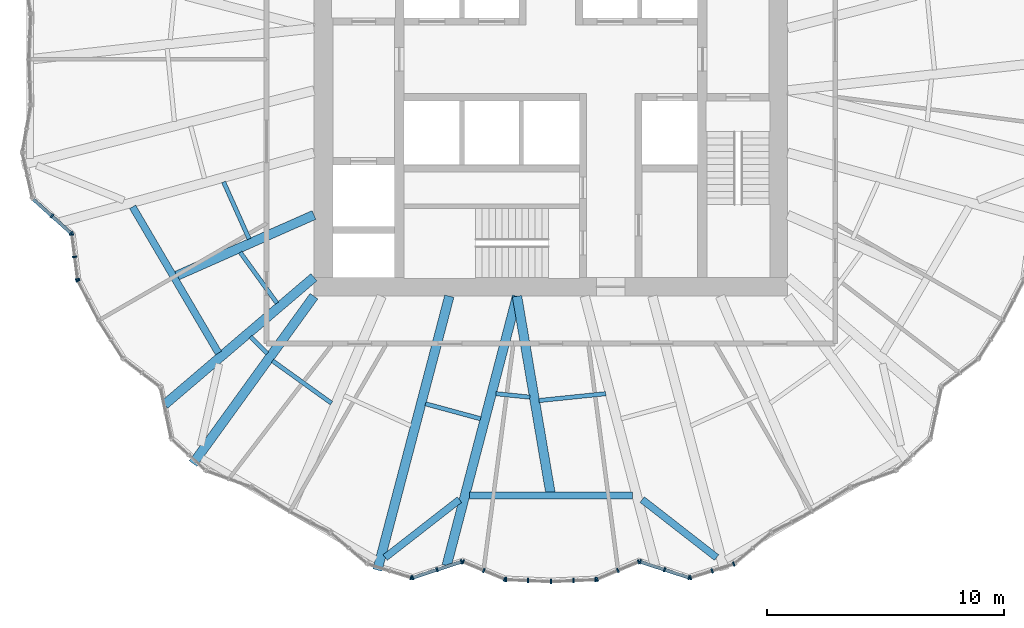
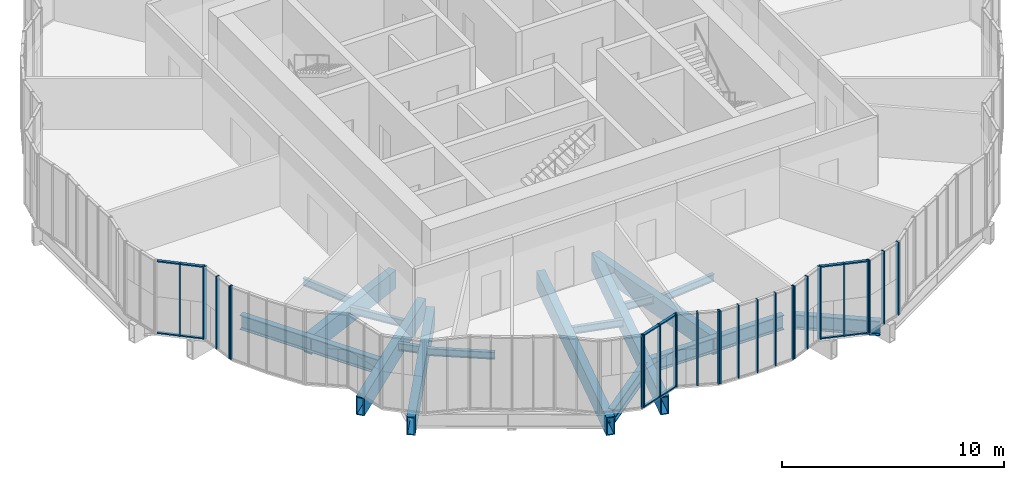
# One storey, part 2 of 23: 39 members, 17 beams, 11 elements without a shape of their own.
"""IFC4 building model written with IfcOpenShell, lengths in metres."""

from ifc_helpers import new_model, si_unit, direction, frame, origin, origin_2d, place, context, subcontext, project, spatial, rectangle, hollow_rectangle, i_section, extrude, material, material_profile, profile_set, type_object, element, aggregate, save


model = new_model("IFC4")

# Units and contexts
model_context = context("Model", 3, precision=1e-05, world=origin(), true_north=direction((0.0, 1.0)))
body_context = subcontext(model_context, "Body", "Model", "MODEL_VIEW")
ifc_project = project(units=[si_unit("LENGTHUNIT", "METRE"), si_unit("AREAUNIT", "SQUARE_METRE"), si_unit("VOLUMEUNIT", "CUBIC_METRE"), si_unit("PLANEANGLEUNIT", "RADIAN"), si_unit("MASSUNIT", "GRAM", prefix="KILO")], contexts=[model_context])

# Site, building, storey
site_placement = place(None, origin())
site = spatial("IfcSite", under=ifc_project, at=site_placement, CompositionType="ELEMENT")
building_placement = place(site_placement, origin())
building = spatial("IfcBuilding", under=site, at=building_placement, Name="Golbaran Civic Tower", CompositionType="ELEMENT")
storey_placement = place(building_placement, frame((0.0, 0.0, 33.0)))
storey = spatial("IfcBuildingStorey", under=building, at=storey_placement, Name="L07", CompositionType="ELEMENT", Elevation=33.0)

# Beams
ifc_material_1 = material(Name="Steel S355", Category="steel")
ifc_material_profile_1 = material_profile(ifc_material_1, i_section(OverallWidth=0.300048828125, OverallDepth=0.800048828125, WebThickness=0.017578125, FlangeThickness=0.032958984375, FilletRadius=0.030029296875, at=origin_2d()), Name="HEB 800")
ifc_profile_set_1 = profile_set([ifc_material_profile_1], Name="Steel S355")
beam_type_1 = type_object("IfcBeamType", Name="EDGE BEAM HEB 800", PredefinedType="BEAM", material=ifc_profile_set_1)
beam_1_placement = place(storey_placement, frame((-17.65576171875, -6.22802734375, -0.60009765625), z_axis=(0.506678694853, -0.862134966338, 0.0), x_axis=(0.862134966338, 0.506678694853, 0.0)))
element("IfcBeam", 1, at=beam_1_placement, inside=storey, type_object=beam_type_1, Name="Edge beam 198.26 L07", PredefinedType="BEAM", context=body_context, shape_type="SweptSolid", body=[
    extrude(i_section(OverallWidth=0.300048828125, OverallDepth=0.800048828125, WebThickness=0.017578125, FlangeThickness=0.032958984375, FilletRadius=0.030029296875, at=origin_2d()), origin(), (0.0, 0.0, 1.0), 7.15673828125),
])
beam_2_placement = place(storey_placement, frame((-6.996337890625, -21.03173828125, -0.60009765625), z_axis=(0.789008486352, 0.6143822983, 0.0), x_axis=(-0.6143822983, 0.789008486352, 0.0)))
element("IfcBeam", 2, at=beam_2_placement, inside=storey, type_object=beam_type_1, Name="Edge beam 251.36 L07", PredefinedType="BEAM", context=body_context, shape_type="SweptSolid", body=[
    extrude(i_section(OverallWidth=0.300048828125, OverallDepth=0.800048828125, WebThickness=0.017578125, FlangeThickness=0.032958984375, FilletRadius=0.030029296875, at=origin_2d()), origin(), (0.0, 0.0, 1.0), 3.97900390625),
])
beam_3_placement = place(storey_placement, frame((-3.437255859375, -18.4052734375, -0.60009765625), z_axis=(1.0, 0.0, 0.0), x_axis=(0.0, 1.0, 0.0)))
element("IfcBeam", 3, at=beam_3_placement, inside=storey, type_object=beam_type_1, Name="Edge beam 258.26 L07", PredefinedType="BEAM", context=body_context, shape_type="SweptSolid", body=[
    extrude(i_section(OverallWidth=0.300048828125, OverallDepth=0.800048828125, WebThickness=0.017578125, FlangeThickness=0.032958984375, FilletRadius=0.030029296875, at=origin_2d()), origin(), (0.0, 0.0, 1.0), 6.87451171875),
])
beam_4_placement = place(storey_placement, frame((3.85693359375, -18.587158203125, -0.60009765625), z_axis=(0.789008486352, -0.6143822983, 0.0), x_axis=(0.6143822983, 0.789008486352, 0.0)))
element("IfcBeam", 4, at=beam_4_placement, inside=storey, type_object=beam_type_1, Name="Edge beam 281.74 L07", PredefinedType="BEAM", context=body_context, shape_type="SweptSolid", body=[
    extrude(i_section(OverallWidth=0.300048828125, OverallDepth=0.800048828125, WebThickness=0.017578125, FlangeThickness=0.032958984375, FilletRadius=0.030029296875, at=origin_2d()), origin(), (0.0, 0.0, 1.0), 3.97900390625),
])
ifc_material_profile_2 = material_profile(ifc_material_1, i_section(OverallWidth=0.179931640625, OverallDepth=0.39990234375, WebThickness=0.008544921875, FlangeThickness=0.013427734375, FilletRadius=0.02099609375, at=origin_2d()), Name="IPE 400")
ifc_profile_set_2 = profile_set([ifc_material_profile_2], Name="Steel S355")
beam_type_2 = type_object("IfcBeamType", Name="FLOOR INFILL BEAM IPE 400", PredefinedType="BEAM", material=ifc_profile_set_2)
beam_5_placement = place(storey_placement, frame((-13.81494140625, -5.175048828125, -0.39990234375), z_axis=(0.408830249642, -0.912610446454, 0.0), x_axis=(0.912610446454, 0.408830249642, 0.0)))
element("IfcBeam", 5, at=beam_5_placement, inside=storey, type_object=beam_type_2, Name="Infill beam 204.13 L07", PredefinedType="BEAM", context=body_context, shape_type="SweptSolid", body=[
    extrude(i_section(OverallWidth=0.179931640625, OverallDepth=0.39990234375, WebThickness=0.008544921875, FlangeThickness=0.013427734375, FilletRadius=0.02099609375, at=origin_2d()), origin(), (0.0, 0.0, 1.0), 2.640625),
])
beam_6_placement = place(storey_placement, frame((-13.1142578125, -8.146240234375, -0.39990234375), z_axis=(0.585967975109, -0.810334210155, 0.0), x_axis=(0.810334210155, 0.585967975109, 0.0)))
element("IfcBeam", 6, at=beam_6_placement, inside=storey, type_object=beam_type_2, Name="Infill beam 215.87 L07", PredefinedType="BEAM", context=body_context, shape_type="SweptSolid", body=[
    extrude(i_section(OverallWidth=0.179931640625, OverallDepth=0.39990234375, WebThickness=0.008544921875, FlangeThickness=0.013427734375, FilletRadius=0.02099609375, at=origin_2d()), origin(), (0.0, 0.0, 1.0), 2.650634765625),
])
beam_7_placement = place(storey_placement, frame((-12.671630859375, -11.713623046875, -0.39990234375), z_axis=(0.70943741161, -0.704768443539, 0.0), x_axis=(0.704768443539, 0.70943741161, 0.0)))
element("IfcBeam", 7, at=beam_7_placement, inside=storey, type_object=beam_type_2, Name="Infill beam 225.19 L07", PredefinedType="BEAM", context=body_context, shape_type="SweptSolid", body=[
    extrude(i_section(OverallWidth=0.179931640625, OverallDepth=0.39990234375, WebThickness=0.008544921875, FlangeThickness=0.013427734375, FilletRadius=0.02099609375, at=origin_2d()), origin(), (0.0, 0.0, 1.0), 0.993408203125),
])
beam_8_placement = place(storey_placement, frame((-11.7490234375, -12.72705078125, -0.39990234375), z_axis=(0.812266627807, -0.583286315073, 0.0), x_axis=(0.583286315073, 0.812266627807, 0.0)))
element("IfcBeam", 8, at=beam_8_placement, inside=storey, type_object=beam_type_2, Name="Infill beam 234.32 L07", PredefinedType="BEAM", context=body_context, shape_type="SweptSolid", body=[
    extrude(i_section(OverallWidth=0.179931640625, OverallDepth=0.39990234375, WebThickness=0.008544921875, FlangeThickness=0.013427734375, FilletRadius=0.02099609375, at=origin_2d()), origin(), (0.0, 0.0, 1.0), 3.064208984375),
])
beam_9_placement = place(storey_placement, frame((-5.292236328125, -14.54150390625, -0.39990234375), z_axis=(0.965080908902, -0.261951978945, 0.0), x_axis=(0.261951978945, 0.965080908902, 0.0)))
element("IfcBeam", 9, at=beam_9_placement, inside=storey, type_object=beam_type_2, Name="Infill beam 254.81 L07", PredefinedType="BEAM", context=body_context, shape_type="SweptSolid", body=[
    extrude(i_section(OverallWidth=0.179931640625, OverallDepth=0.39990234375, WebThickness=0.008544921875, FlangeThickness=0.013427734375, FilletRadius=0.02099609375, at=origin_2d()), origin(), (0.0, 0.0, 1.0), 2.4111328125),
])
beam_10_placement = place(storey_placement, frame((-2.31689453125, -14.114501953125, -0.39990234375), z_axis=(0.994743807616, -0.102395103447, 0.0), x_axis=(0.102395103447, 0.994743807616, 0.0)))
element("IfcBeam", 10, at=beam_10_placement, inside=storey, type_object=beam_type_2, Name="Infill beam 264.13 L07", PredefinedType="BEAM", context=body_context, shape_type="SweptSolid", body=[
    extrude(i_section(OverallWidth=0.179931640625, OverallDepth=0.39990234375, WebThickness=0.008544921875, FlangeThickness=0.013427734375, FilletRadius=0.02099609375, at=origin_2d()), origin(), (0.0, 0.0, 1.0), 1.437744140625),
])
beam_11_placement = place(storey_placement, frame((-0.49755859375, -14.404052734375, -0.39990234375), z_axis=(0.994749501514, 0.10233977349, 0.0), x_axis=(-0.10233977349, 0.994749501514, 0.0)))
element("IfcBeam", 11, at=beam_11_placement, inside=storey, type_object=beam_type_2, Name="Infill beam 275.87 L07", PredefinedType="BEAM", context=body_context, shape_type="SweptSolid", body=[
    extrude(i_section(OverallWidth=0.179931640625, OverallDepth=0.39990234375, WebThickness=0.008544921875, FlangeThickness=0.013427734375, FilletRadius=0.02099609375, at=origin_2d()), origin(), (0.0, 0.0, 1.0), 2.829345703125),
])

# Curtain wall, members
ifc_material_2 = material(Name="Aluminium and glass", Category="aluminium")
curtain_wall_type = type_object("IfcCurtainWallType", Name="INNER SKIN CURTAIN WALL", PredefinedType="NOTDEFINED", material=ifc_material_2)
curtain_wall_1_placement = place(storey_placement, origin())
curtain_wall_1 = element("IfcCurtainWall", 12, at=curtain_wall_1_placement, inside=storey, type_object=curtain_wall_type, Name="Inner skin L07 facet 40 CW1", ObjectType="INNER SKIN", PredefinedType="USERDEFINED")
ifc_material_3 = material(Name="Aluminium", Category="aluminium")
ifc_material_profile_3 = material_profile(ifc_material_3, rectangle(XDim=0.179931640625, YDim=0.06494140625, at=origin_2d()), Name="INNER SKIN CURTAIN WALL MULLION")
ifc_profile_set_3 = profile_set([ifc_material_profile_3], Name="Aluminium")
member_type_1 = type_object("IfcMemberType", Name="INNER SKIN CURTAIN WALL MULLION", PredefinedType="MULLION", material=ifc_profile_set_3)
member_1_placement = place(storey_placement, frame((-21.060302734375, -6.6142578125, 0.0), z_axis=(0.0, 0.0, 1.0), x_axis=(0.668420309882, 0.743783765174, 0.0)))
member_1 = element("IfcMember", 13, at=member_1_placement, type_object=member_type_1, Name="CW1 mullion 2", PredefinedType="MULLION", context=body_context, shape_type="SweptSolid", body=[
    extrude(rectangle(XDim=0.179931640625, YDim=0.06494140625, at=origin_2d()), origin(), (0.0, 0.0, 1.0), 4.0),
])
member_2_placement = place(storey_placement, frame((-20.251953125, -7.340576171875, 0.0), z_axis=(0.0, 0.0, 1.0), x_axis=(0.668420309882, 0.743783765174, 0.0)))
member_2 = element("IfcMember", 14, at=member_2_placement, type_object=member_type_1, Name="CW1 mullion 3", PredefinedType="MULLION", context=body_context, shape_type="SweptSolid", body=[
    extrude(rectangle(XDim=0.179931640625, YDim=0.06494140625, at=origin_2d()), origin(), (0.0, 0.0, 1.0), 4.0),
])

curtain_wall_2_placement = place(storey_placement, origin())
curtain_wall_2 = element("IfcCurtainWall", 15, at=curtain_wall_2_placement, inside=storey, type_object=curtain_wall_type, Name="Inner skin L07 facet 41 CW1", ObjectType="INNER SKIN", PredefinedType="USERDEFINED")
member_3_placement = place(storey_placement, frame((-20.2236328125, -7.39453125, 0.0), z_axis=(0.0, 0.0, 1.0), x_axis=(0.992027138401, 0.126024428889, 0.0)))
member_3 = element("IfcMember", 16, at=member_3_placement, type_object=member_type_1, Name="CW1 mullion 1", PredefinedType="MULLION", context=body_context, shape_type="SweptSolid", body=[
    extrude(rectangle(XDim=0.179931640625, YDim=0.06494140625, at=origin_2d()), origin(), (0.0, 0.0, 1.0), 4.0),
])
member_4_placement = place(storey_placement, frame((-20.103759765625, -8.33935546875, 0.0), z_axis=(0.0, 0.0, 1.0), x_axis=(0.992027138401, 0.126024428889, 0.0)))
member_4 = element("IfcMember", 17, at=member_4_placement, type_object=member_type_1, Name="CW1 mullion 2", PredefinedType="MULLION", context=body_context, shape_type="SweptSolid", body=[
    extrude(rectangle(XDim=0.179931640625, YDim=0.06494140625, at=origin_2d()), origin(), (0.0, 0.0, 1.0), 4.0),
])
member_5_placement = place(storey_placement, frame((-19.983642578125, -9.284423828125, 0.0), z_axis=(0.0, 0.0, 1.0), x_axis=(0.992027138401, 0.126024428889, 0.0)))
member_5 = element("IfcMember", 18, at=member_5_placement, type_object=member_type_1, Name="CW1 mullion 3", PredefinedType="MULLION", context=body_context, shape_type="SweptSolid", body=[
    extrude(rectangle(XDim=0.179931640625, YDim=0.06494140625, at=origin_2d()), origin(), (0.0, 0.0, 1.0), 4.0),
])
aggregate(curtain_wall_2, [member_3, member_4, member_5])

# Curtain wall, member
curtain_wall_3_placement = place(storey_placement, origin())
curtain_wall_3 = element("IfcCurtainWall", 19, at=curtain_wall_3_placement, inside=storey, type_object=curtain_wall_type, Name="Inner skin L07 facet 42 CW1", ObjectType="INNER SKIN", PredefinedType="USERDEFINED")
member_6_placement = place(storey_placement, frame((-19.964599609375, -9.345458984375, 0.0), z_axis=(0.0, 0.0, 1.0), x_axis=(0.887010833146, 0.461748613297, 0.0)))
member_6 = element("IfcMember", 20, at=member_6_placement, type_object=member_type_1, Name="CW1 mullion 1", PredefinedType="MULLION", context=body_context, shape_type="SweptSolid", body=[
    extrude(rectangle(XDim=0.179931640625, YDim=0.06494140625, at=origin_2d()), origin(), (0.0, 0.0, 1.0), 4.0),
])
aggregate(curtain_wall_3, [member_6])

curtain_wall_4_placement = place(storey_placement, origin())
curtain_wall_4 = element("IfcCurtainWall", 21, at=curtain_wall_4_placement, inside=storey, type_object=curtain_wall_type, Name="Inner skin L07 facet 51 CW1", ObjectType="INNER SKIN", PredefinedType="USERDEFINED")
member_7_placement = place(storey_placement, frame((-5.897216796875, -21.883056640625, 0.0), z_axis=(0.0, 0.0, 1.0), x_axis=(0.300705799654, 0.953716950701, 0.0)))
member_7 = element("IfcMember", 22, at=member_7_placement, type_object=member_type_1, Name="CW1 mullion 3", PredefinedType="MULLION", context=body_context, shape_type="SweptSolid", body=[
    extrude(rectangle(XDim=0.179931640625, YDim=0.06494140625, at=origin_2d()), origin(), (0.0, 0.0, 1.0), 4.0),
])
aggregate(curtain_wall_4, [member_7])

# Curtain wall, members
curtain_wall_5_placement = place(storey_placement, origin())
curtain_wall_5 = element("IfcCurtainWall", 23, at=curtain_wall_5_placement, inside=storey, type_object=curtain_wall_type, Name="Inner skin L07 facet 52 CW1", ObjectType="INNER SKIN", PredefinedType="USERDEFINED")
member_8_placement = place(storey_placement, frame((-5.835205078125, -21.882568359375, 0.0), z_axis=(0.0, 0.0, 1.0), x_axis=(-0.309925480738, 0.950760851313, 0.0)))
member_8 = element("IfcMember", 24, at=member_8_placement, type_object=member_type_1, Name="CW1 mullion 1", PredefinedType="MULLION", context=body_context, shape_type="SweptSolid", body=[
    extrude(rectangle(XDim=0.179931640625, YDim=0.06494140625, at=origin_2d()), origin(), (0.0, 0.0, 1.0), 4.0),
])
member_9_placement = place(storey_placement, frame((-4.802001953125, -21.5458984375, 0.0), z_axis=(0.0, 0.0, 1.0), x_axis=(-0.309925480738, 0.950760851313, 0.0)))
member_9 = element("IfcMember", 25, at=member_9_placement, type_object=member_type_1, Name="CW1 mullion 2", PredefinedType="MULLION", context=body_context, shape_type="SweptSolid", body=[
    extrude(rectangle(XDim=0.179931640625, YDim=0.06494140625, at=origin_2d()), origin(), (0.0, 0.0, 1.0), 4.0),
])
member_10_placement = place(storey_placement, frame((-3.768798828125, -21.208984375, 0.0), z_axis=(0.0, 0.0, 1.0), x_axis=(-0.309925480738, 0.950760851313, 0.0)))
member_10 = element("IfcMember", 26, at=member_10_placement, type_object=member_type_1, Name="CW1 mullion 3", PredefinedType="MULLION", context=body_context, shape_type="SweptSolid", body=[
    extrude(rectangle(XDim=0.179931640625, YDim=0.06494140625, at=origin_2d()), origin(), (0.0, 0.0, 1.0), 4.0),
])

curtain_wall_6_placement = place(storey_placement, origin())
curtain_wall_6 = element("IfcCurtainWall", 27, at=curtain_wall_6_placement, inside=storey, type_object=curtain_wall_type, Name="Inner skin L07 facet 53 CW1", ObjectType="INNER SKIN", PredefinedType="USERDEFINED")
member_11_placement = place(storey_placement, frame((-3.7080078125, -21.21142578125, 0.0), z_axis=(0.0, 0.0, 1.0), x_axis=(0.38687321243, 0.922132917482, 0.0)))
member_11 = element("IfcMember", 28, at=member_11_placement, type_object=member_type_1, Name="CW1 mullion 1", PredefinedType="MULLION", context=body_context, shape_type="SweptSolid", body=[
    extrude(rectangle(XDim=0.179931640625, YDim=0.06494140625, at=origin_2d()), origin(), (0.0, 0.0, 1.0), 4.0),
])
member_12_placement = place(storey_placement, frame((-2.82958984375, -21.580078125, 0.0), z_axis=(0.0, 0.0, 1.0), x_axis=(0.38687321243, 0.922132917482, 0.0)))
member_12 = element("IfcMember", 29, at=member_12_placement, type_object=member_type_1, Name="CW1 mullion 2", PredefinedType="MULLION", context=body_context, shape_type="SweptSolid", body=[
    extrude(rectangle(XDim=0.179931640625, YDim=0.06494140625, at=origin_2d()), origin(), (0.0, 0.0, 1.0), 4.0),
])
member_13_placement = place(storey_placement, frame((-1.951416015625, -21.948486328125, 0.0), z_axis=(0.0, 0.0, 1.0), x_axis=(0.38687321243, 0.922132917482, 0.0)))
member_13 = element("IfcMember", 30, at=member_13_placement, type_object=member_type_1, Name="CW1 mullion 3", PredefinedType="MULLION", context=body_context, shape_type="SweptSolid", body=[
    extrude(rectangle(XDim=0.179931640625, YDim=0.06494140625, at=origin_2d()), origin(), (0.0, 0.0, 1.0), 4.0),
])
aggregate(curtain_wall_6, [member_11, member_12, member_13])

curtain_wall_7_placement = place(storey_placement, origin())
curtain_wall_7 = element("IfcCurtainWall", 31, at=curtain_wall_7_placement, inside=storey, type_object=curtain_wall_type, Name="Inner skin L07 facet 54 CW1", ObjectType="INNER SKIN", PredefinedType="USERDEFINED")
member_14_placement = place(storey_placement, frame((-1.888916015625, -21.962646484375, 0.0), z_axis=(0.0, 0.0, 1.0), x_axis=(0.043619387592, 0.999048221572, 0.0)))
member_14 = element("IfcMember", 32, at=member_14_placement, type_object=member_type_1, Name="CW1 mullion 1", PredefinedType="MULLION", context=body_context, shape_type="SweptSolid", body=[
    extrude(rectangle(XDim=0.179931640625, YDim=0.06494140625, at=origin_2d()), origin(), (0.0, 0.0, 1.0), 4.0),
])
member_15_placement = place(storey_placement, frame((-0.960693359375, -22.003173828125, 0.0), z_axis=(0.0, 0.0, 1.0), x_axis=(0.043619387592, 0.999048221572, 0.0)))
member_15 = element("IfcMember", 33, at=member_15_placement, type_object=member_type_1, Name="CW1 mullion 2", PredefinedType="MULLION", context=body_context, shape_type="SweptSolid", body=[
    extrude(rectangle(XDim=0.179931640625, YDim=0.06494140625, at=origin_2d()), origin(), (0.0, 0.0, 1.0), 4.0),
])
member_16_placement = place(storey_placement, frame((0.0, -22.044921875, 0.0), z_axis=(0.0, 0.0, 1.0), x_axis=(1.05e-10, 1.0, 0.0)))
member_16 = element("IfcMember", 34, at=member_16_placement, type_object=member_type_1, Name="CW1 mullion 3", PredefinedType="MULLION", context=body_context, shape_type="SweptSolid", body=[
    extrude(rectangle(XDim=0.179931640625, YDim=0.06494140625, at=origin_2d()), origin(), (0.0, 0.0, 1.0), 4.0),
])
aggregate(curtain_wall_7, [member_14, member_15, member_16])

curtain_wall_8_placement = place(storey_placement, origin())
curtain_wall_8 = element("IfcCurtainWall", 35, at=curtain_wall_8_placement, inside=storey, type_object=curtain_wall_type, Name="Inner skin L07 facet 55 CW1", ObjectType="INNER SKIN", PredefinedType="USERDEFINED")
member_17_placement = place(storey_placement, frame((0.960693359375, -22.003173828125, 0.0), z_axis=(0.0, 0.0, 1.0), x_axis=(-0.043619387592, 0.999048221572, 0.0)))
member_17 = element("IfcMember", 36, at=member_17_placement, type_object=member_type_1, Name="CW1 mullion 2", PredefinedType="MULLION", context=body_context, shape_type="SweptSolid", body=[
    extrude(rectangle(XDim=0.179931640625, YDim=0.06494140625, at=origin_2d()), origin(), (0.0, 0.0, 1.0), 4.0),
])
member_18_placement = place(storey_placement, frame((1.888916015625, -21.962646484375, 0.0), z_axis=(0.0, 0.0, 1.0), x_axis=(-0.043619387592, 0.999048221572, 0.0)))
member_18 = element("IfcMember", 37, at=member_18_placement, type_object=member_type_1, Name="CW1 mullion 3", PredefinedType="MULLION", context=body_context, shape_type="SweptSolid", body=[
    extrude(rectangle(XDim=0.179931640625, YDim=0.06494140625, at=origin_2d()), origin(), (0.0, 0.0, 1.0), 4.0),
])
aggregate(curtain_wall_8, [member_17, member_18])

curtain_wall_9_placement = place(storey_placement, origin())
curtain_wall_9 = element("IfcCurtainWall", 38, at=curtain_wall_9_placement, inside=storey, type_object=curtain_wall_type, Name="Inner skin L07 facet 56 CW1", ObjectType="INNER SKIN", PredefinedType="USERDEFINED")
member_19_placement = place(storey_placement, frame((1.951416015625, -21.948486328125, 0.0), z_axis=(0.0, 0.0, 1.0), x_axis=(-0.38687321243, 0.922132917482, 0.0)))
member_19 = element("IfcMember", 39, at=member_19_placement, type_object=member_type_1, Name="CW1 mullion 1", PredefinedType="MULLION", context=body_context, shape_type="SweptSolid", body=[
    extrude(rectangle(XDim=0.179931640625, YDim=0.06494140625, at=origin_2d()), origin(), (0.0, 0.0, 1.0), 4.0),
])
member_20_placement = place(storey_placement, frame((2.82958984375, -21.580078125, 0.0), z_axis=(0.0, 0.0, 1.0), x_axis=(-0.38687321243, 0.922132917482, 0.0)))
member_20 = element("IfcMember", 40, at=member_20_placement, type_object=member_type_1, Name="CW1 mullion 2", PredefinedType="MULLION", context=body_context, shape_type="SweptSolid", body=[
    extrude(rectangle(XDim=0.179931640625, YDim=0.06494140625, at=origin_2d()), origin(), (0.0, 0.0, 1.0), 4.0),
])
member_21_placement = place(storey_placement, frame((3.7080078125, -21.21142578125, 0.0), z_axis=(0.0, 0.0, 1.0), x_axis=(-0.38687321243, 0.922132917482, 0.0)))
member_21 = element("IfcMember", 41, at=member_21_placement, type_object=member_type_1, Name="CW1 mullion 3", PredefinedType="MULLION", context=body_context, shape_type="SweptSolid", body=[
    extrude(rectangle(XDim=0.179931640625, YDim=0.06494140625, at=origin_2d()), origin(), (0.0, 0.0, 1.0), 4.0),
])
aggregate(curtain_wall_9, [member_19, member_20, member_21])

curtain_wall_10_placement = place(storey_placement, origin())
curtain_wall_10 = element("IfcCurtainWall", 42, at=curtain_wall_10_placement, inside=storey, type_object=curtain_wall_type, Name="Inner skin L07 facet 57 CW1", ObjectType="INNER SKIN", PredefinedType="USERDEFINED")
member_22_placement = place(storey_placement, frame((3.768798828125, -21.208984375, 0.0), z_axis=(0.0, 0.0, 1.0), x_axis=(0.309925480738, 0.950760851313, 0.0)))
member_22 = element("IfcMember", 43, at=member_22_placement, type_object=member_type_1, Name="CW1 mullion 1", PredefinedType="MULLION", context=body_context, shape_type="SweptSolid", body=[
    extrude(rectangle(XDim=0.179931640625, YDim=0.06494140625, at=origin_2d()), origin(), (0.0, 0.0, 1.0), 4.0),
])
member_23_placement = place(storey_placement, frame((4.802001953125, -21.5458984375, 0.0), z_axis=(0.0, 0.0, 1.0), x_axis=(0.309925480738, 0.950760851313, 0.0)))
member_23 = element("IfcMember", 44, at=member_23_placement, type_object=member_type_1, Name="CW1 mullion 2", PredefinedType="MULLION", context=body_context, shape_type="SweptSolid", body=[
    extrude(rectangle(XDim=0.179931640625, YDim=0.06494140625, at=origin_2d()), origin(), (0.0, 0.0, 1.0), 4.0),
])
member_24_placement = place(storey_placement, frame((5.835205078125, -21.882568359375, 0.0), z_axis=(0.0, 0.0, 1.0), x_axis=(0.309925480738, 0.950760851313, 0.0)))
member_24 = element("IfcMember", 45, at=member_24_placement, type_object=member_type_1, Name="CW1 mullion 3", PredefinedType="MULLION", context=body_context, shape_type="SweptSolid", body=[
    extrude(rectangle(XDim=0.179931640625, YDim=0.06494140625, at=origin_2d()), origin(), (0.0, 0.0, 1.0), 4.0),
])

curtain_wall_11_placement = place(storey_placement, origin())
curtain_wall_11 = element("IfcCurtainWall", 46, at=curtain_wall_11_placement, inside=storey, type_object=curtain_wall_type, Name="Inner skin L07 facet 58 CW1", ObjectType="INNER SKIN", PredefinedType="USERDEFINED")
member_25_placement = place(storey_placement, frame((5.897216796875, -21.883056640625, 0.0), z_axis=(0.0, 0.0, 1.0), x_axis=(-0.300705799654, 0.953716950701, 0.0)))
member_25 = element("IfcMember", 47, at=member_25_placement, type_object=member_type_1, Name="CW1 mullion 1", PredefinedType="MULLION", context=body_context, shape_type="SweptSolid", body=[
    extrude(rectangle(XDim=0.179931640625, YDim=0.06494140625, at=origin_2d()), origin(), (0.0, 0.0, 1.0), 4.0),
])
member_26_placement = place(storey_placement, frame((6.80908203125, -21.595458984375, 0.0), z_axis=(0.0, 0.0, 1.0), x_axis=(-0.300705799654, 0.953716950701, 0.0)))
member_26 = element("IfcMember", 48, at=member_26_placement, type_object=member_type_1, Name="CW1 mullion 2", PredefinedType="MULLION", context=body_context, shape_type="SweptSolid", body=[
    extrude(rectangle(XDim=0.179931640625, YDim=0.06494140625, at=origin_2d()), origin(), (0.0, 0.0, 1.0), 4.0),
])
member_27_placement = place(storey_placement, frame((7.720947265625, -21.307861328125, 0.0), z_axis=(0.0, 0.0, 1.0), x_axis=(-0.300705799654, 0.953716950701, 0.0)))
member_27 = element("IfcMember", 49, at=member_27_placement, type_object=member_type_1, Name="CW1 mullion 3", PredefinedType="MULLION", context=body_context, shape_type="SweptSolid", body=[
    extrude(rectangle(XDim=0.179931640625, YDim=0.06494140625, at=origin_2d()), origin(), (0.0, 0.0, 1.0), 4.0),
])
aggregate(curtain_wall_11, [member_25, member_26, member_27])

# Member
ifc_material_profile_4 = material_profile(ifc_material_3, rectangle(XDim=0.139892578125, YDim=0.06494140625, at=origin_2d()), Name="INNER SKIN CURTAIN WALL TRANSOM")
ifc_profile_set_4 = profile_set([ifc_material_profile_4], Name="Aluminium")
member_type_2 = type_object("IfcMemberType", Name="INNER SKIN CURTAIN WALL TRANSOM", PredefinedType="USERDEFINED", material=ifc_profile_set_4)
member_28_placement = place(storey_placement, frame((-21.844482421875, -5.90966796875, 0.032470703125), z_axis=(0.743852318106, -0.668344019834, 0.0), x_axis=(0.668344019834, 0.743852318106, 0.0)))
member_28 = element("IfcMember", 50, at=member_28_placement, type_object=member_type_2, Name="CW1 transom 1.1", ObjectType="TRANSOM", PredefinedType="USERDEFINED", context=body_context, shape_type="SweptSolid", body=[
    extrude(rectangle(XDim=0.139892578125, YDim=0.06494140625, at=origin_2d()), origin(), (0.0, 0.0, 1.0), 1.021728515625),
])

member_29_placement = place(storey_placement, frame((-21.844482421875, -5.90966796875, 3.967529296875), z_axis=(0.743852318106, -0.668344019834, 0.0), x_axis=(0.668344019834, 0.743852318106, 0.0)))
member_29 = element("IfcMember", 51, at=member_29_placement, type_object=member_type_2, Name="CW1 transom 1.2", ObjectType="TRANSOM", PredefinedType="USERDEFINED", context=body_context, shape_type="SweptSolid", body=[
    extrude(rectangle(XDim=0.139892578125, YDim=0.06494140625, at=origin_2d()), origin(), (0.0, 0.0, 1.0), 1.021728515625),
])

member_30_placement = place(storey_placement, frame((-21.0361328125, -6.635986328125, 0.032470703125), z_axis=(0.743852318106, -0.668344019834, 0.0), x_axis=(0.668344019834, 0.743852318106, 0.0)))
member_30 = element("IfcMember", 52, at=member_30_placement, type_object=member_type_2, Name="CW1 transom 2.1", ObjectType="TRANSOM", PredefinedType="USERDEFINED", context=body_context, shape_type="SweptSolid", body=[
    extrude(rectangle(XDim=0.139892578125, YDim=0.06494140625, at=origin_2d()), origin(), (0.0, 0.0, 1.0), 1.021728515625),
])

member_31_placement = place(storey_placement, frame((-21.0361328125, -6.635986328125, 3.967529296875), z_axis=(0.743852318106, -0.668344019834, 0.0), x_axis=(0.668344019834, 0.743852318106, 0.0)))
member_31 = element("IfcMember", 53, at=member_31_placement, type_object=member_type_2, Name="CW1 transom 2.2", ObjectType="TRANSOM", PredefinedType="USERDEFINED", context=body_context, shape_type="SweptSolid", body=[
    extrude(rectangle(XDim=0.139892578125, YDim=0.06494140625, at=origin_2d()), origin(), (0.0, 0.0, 1.0), 1.021728515625),
])

aggregate(curtain_wall_1, [member_1, member_2, member_28, member_29, member_30, member_31])

member_32_placement = place(storey_placement, frame((-5.804443359375, -21.87255859375, 0.032470703125), z_axis=(0.950765047477, 0.309912607836, 0.0), x_axis=(-0.309912607836, 0.950765047477, 0.0)))
member_32 = element("IfcMember", 54, at=member_32_placement, type_object=member_type_2, Name="CW1 transom 1.1", ObjectType="TRANSOM", PredefinedType="USERDEFINED", context=body_context, shape_type="SweptSolid", body=[
    extrude(rectangle(XDim=0.139892578125, YDim=0.06494140625, at=origin_2d()), origin(), (0.0, 0.0, 1.0), 1.021728515625),
])

member_33_placement = place(storey_placement, frame((-5.804443359375, -21.87255859375, 3.967529296875), z_axis=(0.950765047477, 0.309912607836, 0.0), x_axis=(-0.309912607836, 0.950765047477, 0.0)))
member_33 = element("IfcMember", 55, at=member_33_placement, type_object=member_type_2, Name="CW1 transom 1.2", ObjectType="TRANSOM", PredefinedType="USERDEFINED", context=body_context, shape_type="SweptSolid", body=[
    extrude(rectangle(XDim=0.139892578125, YDim=0.06494140625, at=origin_2d()), origin(), (0.0, 0.0, 1.0), 1.021728515625),
])

member_34_placement = place(storey_placement, frame((-4.771240234375, -21.535888671875, 0.032470703125), z_axis=(0.950765047477, 0.309912607836, 0.0), x_axis=(-0.309912607836, 0.950765047477, 0.0)))
member_34 = element("IfcMember", 56, at=member_34_placement, type_object=member_type_2, Name="CW1 transom 2.1", ObjectType="TRANSOM", PredefinedType="USERDEFINED", context=body_context, shape_type="SweptSolid", body=[
    extrude(rectangle(XDim=0.139892578125, YDim=0.06494140625, at=origin_2d()), origin(), (0.0, 0.0, 1.0), 1.021728515625),
])

member_35_placement = place(storey_placement, frame((-4.771240234375, -21.535888671875, 3.967529296875), z_axis=(0.950765047477, 0.309912607836, 0.0), x_axis=(-0.309912607836, 0.950765047477, 0.0)))
member_35 = element("IfcMember", 57, at=member_35_placement, type_object=member_type_2, Name="CW1 transom 2.2", ObjectType="TRANSOM", PredefinedType="USERDEFINED", context=body_context, shape_type="SweptSolid", body=[
    extrude(rectangle(XDim=0.139892578125, YDim=0.06494140625, at=origin_2d()), origin(), (0.0, 0.0, 1.0), 1.021728515625),
])

aggregate(curtain_wall_5, [member_8, member_9, member_10, member_32, member_33, member_34, member_35])

member_36_placement = place(storey_placement, frame((3.7998046875, -21.21923828125, 0.032470703125), z_axis=(0.950765047477, -0.309912607836, 0.0), x_axis=(0.309912607836, 0.950765047477, 0.0)))
member_36 = element("IfcMember", 58, at=member_36_placement, type_object=member_type_2, Name="CW1 transom 1.1", ObjectType="TRANSOM", PredefinedType="USERDEFINED", context=body_context, shape_type="SweptSolid", body=[
    extrude(rectangle(XDim=0.139892578125, YDim=0.06494140625, at=origin_2d()), origin(), (0.0, 0.0, 1.0), 1.021728515625),
])

member_37_placement = place(storey_placement, frame((3.7998046875, -21.21923828125, 3.967529296875), z_axis=(0.950765047477, -0.309912607836, 0.0), x_axis=(0.309912607836, 0.950765047477, 0.0)))
member_37 = element("IfcMember", 59, at=member_37_placement, type_object=member_type_2, Name="CW1 transom 1.2", ObjectType="TRANSOM", PredefinedType="USERDEFINED", context=body_context, shape_type="SweptSolid", body=[
    extrude(rectangle(XDim=0.139892578125, YDim=0.06494140625, at=origin_2d()), origin(), (0.0, 0.0, 1.0), 1.021728515625),
])

member_38_placement = place(storey_placement, frame((4.8330078125, -21.555908203125, 0.032470703125), z_axis=(0.950765047477, -0.309912607836, 0.0), x_axis=(0.309912607836, 0.950765047477, 0.0)))
member_38 = element("IfcMember", 60, at=member_38_placement, type_object=member_type_2, Name="CW1 transom 2.1", ObjectType="TRANSOM", PredefinedType="USERDEFINED", context=body_context, shape_type="SweptSolid", body=[
    extrude(rectangle(XDim=0.139892578125, YDim=0.06494140625, at=origin_2d()), origin(), (0.0, 0.0, 1.0), 1.021728515625),
])

member_39_placement = place(storey_placement, frame((4.8330078125, -21.555908203125, 3.967529296875), z_axis=(0.950765047477, -0.309912607836, 0.0), x_axis=(0.309912607836, 0.950765047477, 0.0)))
member_39 = element("IfcMember", 61, at=member_39_placement, type_object=member_type_2, Name="CW1 transom 2.2", ObjectType="TRANSOM", PredefinedType="USERDEFINED", context=body_context, shape_type="SweptSolid", body=[
    extrude(rectangle(XDim=0.139892578125, YDim=0.06494140625, at=origin_2d()), origin(), (0.0, 0.0, 1.0), 1.021728515625),
])

aggregate(curtain_wall_10, [member_22, member_23, member_24, member_36, member_37, member_38, member_39])

# Beams
ifc_material_profile_5 = material_profile(ifc_material_1, hollow_rectangle(XDim=0.39990234375, YDim=1.0, WallThickness=0.050048828125, at=origin_2d()), Name="BOX 1000x400x50")
ifc_profile_set_5 = profile_set([ifc_material_profile_5], Name="Steel S355")
beam_type_3 = type_object("IfcBeamType", Name="RADIAL FLOOR BEAM BOX 1000x400x50", PredefinedType="BEAM", material=ifc_profile_set_5)
beam_12_placement = place(storey_placement, frame((-10.0, -9.199951171875, -0.7099609375), z_axis=(-0.761054184056, -0.648688314163, 0.0), x_axis=(0.648688314163, -0.761054184056, 0.0)))
element("IfcBeam", 62, at=beam_12_placement, inside=storey, type_object=beam_type_3, Name="Radial beam 221.74 L07", PredefinedType="BEAM", context=body_context, shape_type="SweptSolid", body=[
    extrude(hollow_rectangle(XDim=0.39990234375, YDim=1.0, WallThickness=0.050048828125, at=origin_2d()), origin(), (0.0, 0.0, 1.0), 8.2890625),
])
beam_13_placement = place(storey_placement, frame((-10.0, -10.0, -0.7099609375), z_axis=(-0.585812641951, -0.810446511826, 0.0), x_axis=(0.810446511826, -0.585812641951, 0.0)))
element("IfcBeam", 63, at=beam_13_placement, inside=storey, type_object=beam_type_3, Name="Radial beam 228.64 L07", PredefinedType="BEAM", context=body_context, shape_type="SweptSolid", body=[
    extrude(hollow_rectangle(XDim=0.39990234375, YDim=1.0, WallThickness=0.050048828125, at=origin_2d()), origin(), (0.0, 0.0, 1.0), 8.716552734375),
])
beam_14_placement = place(storey_placement, frame((-4.28564453125, -10.0, -0.7099609375), z_axis=(-0.25397743751, -0.967210143266, 0.0), x_axis=(0.967210143266, -0.25397743751, 0.0)))
element("IfcBeam", 64, at=beam_14_placement, inside=storey, type_object=beam_type_3, Name="Radial beam 251.36 L07", PredefinedType="BEAM", context=body_context, shape_type="SweptSolid", body=[
    extrude(hollow_rectangle(XDim=0.39990234375, YDim=1.0, WallThickness=0.050048828125, at=origin_2d()), origin(), (0.0, 0.0, 1.0), 11.951416015625),
])
beam_15_placement = place(storey_placement, frame((-1.428466796875, -10.0, -0.7099609375), z_axis=(-0.252669542688, -0.967552635363, 0.0), x_axis=(0.967552635363, -0.252669542688, 0.0)))
element("IfcBeam", 65, at=beam_15_placement, inside=storey, type_object=beam_type_3, Name="Radial beam 258.26 L07", PredefinedType="BEAM", context=body_context, shape_type="SweptSolid", body=[
    extrude(hollow_rectangle(XDim=0.39990234375, YDim=1.0, WallThickness=0.050048828125, at=origin_2d()), origin(), (0.0, 0.0, 1.0), 11.75830078125),
])
ifc_material_profile_6 = material_profile(ifc_material_1, hollow_rectangle(XDim=0.39990234375, YDim=1.0, WallThickness=0.0400390625, at=origin_2d()), Name="BOX 1000x400x40")
ifc_profile_set_6 = profile_set([ifc_material_profile_6], Name="Steel S355")
beam_type_4 = type_object("IfcBeamType", Name="SECONDARY FLOOR BEAM BOX 1000x400x40", PredefinedType="BEAM", material=ifc_profile_set_6)
beam_16_placement = place(storey_placement, frame((-10.0, -6.571533203125, -0.7099609375), z_axis=(-0.914487271555, -0.404614668744, 0.0), x_axis=(0.404614668744, -0.914487271555, 0.0)))
element("IfcBeam", 66, at=beam_16_placement, inside=storey, type_object=beam_type_4, Name="Secondary beam 210.00 L07", PredefinedType="BEAM", context=body_context, shape_type="SweptSolid", body=[
    extrude(hollow_rectangle(XDim=0.39990234375, YDim=1.0, WallThickness=0.0400390625, at=origin_2d()), origin(), (0.0, 0.0, 1.0), 6.468994140625),
])
beam_17_placement = place(storey_placement, frame((-1.428466796875, -10.0, -0.7099609375), z_axis=(0.167546510794, -0.985864172552, 0.0), x_axis=(0.985864172552, 0.167546510794, 0.0)))
element("IfcBeam", 67, at=beam_17_placement, inside=storey, type_object=beam_type_4, Name="Secondary beam 270.00 L07", PredefinedType="BEAM", context=body_context, shape_type="SweptSolid", body=[
    extrude(hollow_rectangle(XDim=0.39990234375, YDim=1.0, WallThickness=0.0400390625, at=origin_2d()), origin(), (0.0, 0.0, 1.0), 8.52587890625),
])

save(model, "model.ifc")
